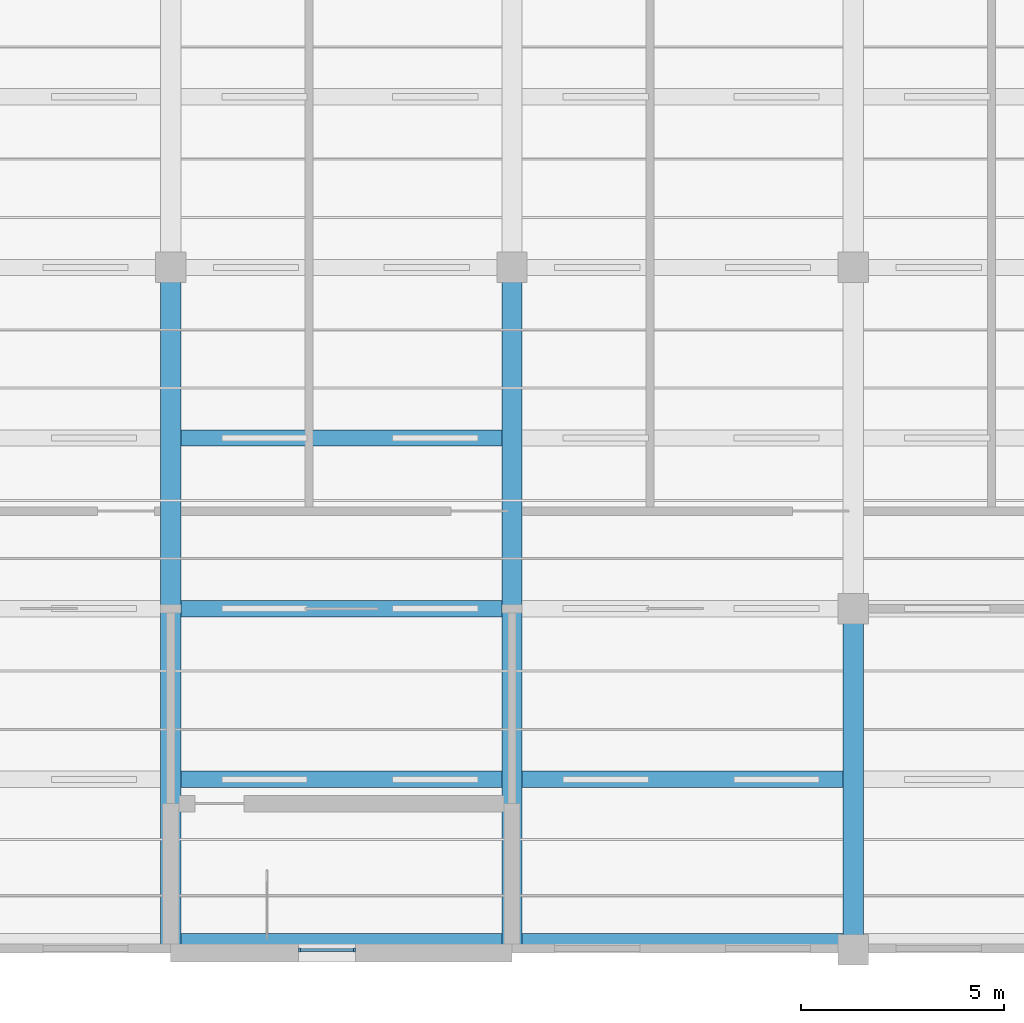
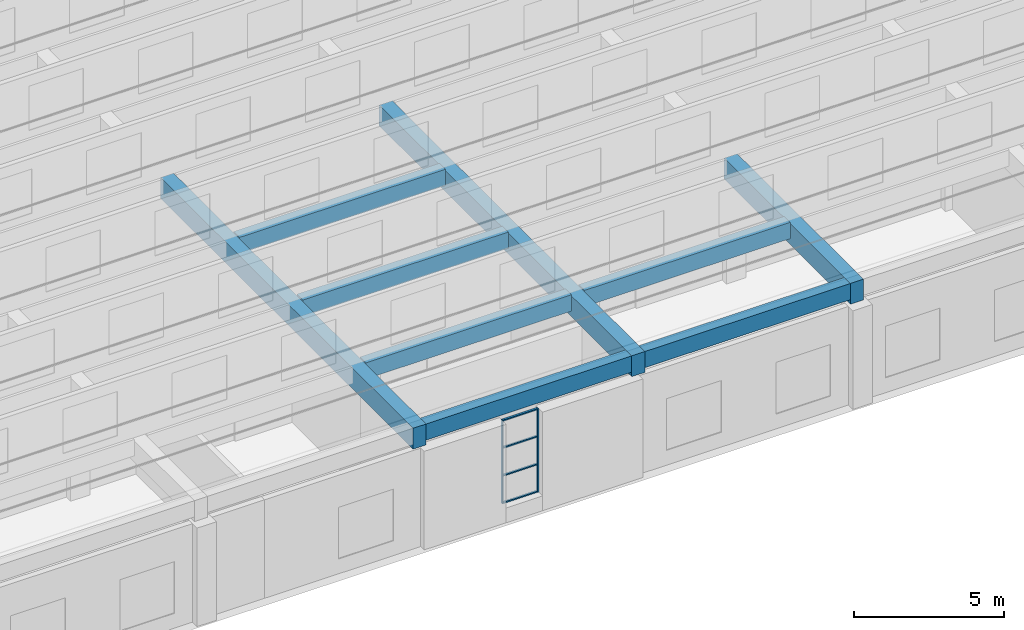
# One storey, part 9 of 61: 9 beams, 6 members, 1 element without a shape of its own.
"""IFC4 building model written with IfcOpenShell, lengths in metres."""

from ifc_helpers import new_model, si_unit, direction, frame, origin, origin_2d, place, context, subcontext, project, spatial, rectangle, extrude, material, material_profile, profile_set, type_object, element, aggregate, save


model = new_model("IFC4")

# Units and contexts
model_context = context("Model", 3, precision=1e-05, world=origin(), true_north=direction((0.0, 1.0)))
body_context = subcontext(model_context, "Body", "Model", "MODEL_VIEW")
ifc_project = project(units=[si_unit("LENGTHUNIT", "METRE"), si_unit("AREAUNIT", "SQUARE_METRE"), si_unit("VOLUMEUNIT", "CUBIC_METRE"), si_unit("PLANEANGLEUNIT", "RADIAN"), si_unit("MASSUNIT", "GRAM", prefix="KILO")], contexts=[model_context])

# Site, building, storey
site_placement = place(None, origin())
site = spatial("IfcSite", under=ifc_project, at=site_placement, CompositionType="ELEMENT")
building_placement = place(site_placement, origin())
building = spatial("IfcBuilding", under=site, at=building_placement, Name="Yavir Park General Hospital", CompositionType="ELEMENT")
storey_placement = place(building_placement, frame((0.0, 0.0, 15.300048828125)))
storey = spatial("IfcBuildingStorey", under=building, at=storey_placement, Name="L03", CompositionType="ELEMENT", Elevation=15.300048828125)

# Beams
ifc_material_1 = material(Name="Concrete C35/45", Category="concrete")
ifc_material_profile_1 = material_profile(ifc_material_1, rectangle(XDim=0.39990234375, YDim=0.659912109375, at=origin_2d()), Name="RC400x660")
ifc_profile_set_1 = profile_set([ifc_material_profile_1], Name="Concrete C35/45")
beam_type_1 = type_object("IfcBeamType", Name="RC BEAM 400x660 sawtooth kerb beam", PredefinedType="BEAM", material=ifc_profile_set_1)
beam_1_placement = place(storey_placement, frame((67.449951171875, 0.199951171875, 4.516845703125), z_axis=(1.0, 0.0, 0.0), x_axis=(0.0, 1.0, 0.0)))
element("IfcBeam", 1, at=beam_1_placement, inside=storey, type_object=beam_type_1, Name="B:SAW:K0:3", PredefinedType="BEAM", context=body_context, shape_type="SweptSolid", body=[
    extrude(rectangle(XDim=0.39990234375, YDim=0.659912109375, at=origin_2d()), origin(), (0.0, 0.0, 1.0), 7.900146484375),
])
beam_2_placement = place(storey_placement, frame((75.85009765625, 0.199951171875, 4.516845703125), z_axis=(1.0, 0.0, 0.0), x_axis=(0.0, 1.0, 0.0)))
element("IfcBeam", 2, at=beam_2_placement, inside=storey, type_object=beam_type_1, Name="B:SAW:K0:4", PredefinedType="BEAM", context=body_context, shape_type="SweptSolid", body=[
    extrude(rectangle(XDim=0.39990234375, YDim=0.659912109375, at=origin_2d()), origin(), (0.0, 0.0, 1.0), 7.89990234375),
])
beam_3_placement = place(storey_placement, frame((67.449951171875, 4.199951171875, 4.573974609375), z_axis=(1.0, 0.0, 0.0), x_axis=(0.0, 1.0, 0.0)))
element("IfcBeam", 3, at=beam_3_placement, inside=storey, type_object=beam_type_1, Name="B:SAW:K1:3", PredefinedType="BEAM", context=body_context, shape_type="SweptSolid", body=[
    extrude(rectangle(XDim=0.39990234375, YDim=0.659912109375, at=origin_2d()), origin(), (0.0, 0.0, 1.0), 7.900146484375),
])
beam_4_placement = place(storey_placement, frame((75.85009765625, 4.199951171875, 4.573974609375), z_axis=(1.0, 0.0, 0.0), x_axis=(0.0, 1.0, 0.0)))
element("IfcBeam", 4, at=beam_4_placement, inside=storey, type_object=beam_type_1, Name="B:SAW:K1:4", PredefinedType="BEAM", context=body_context, shape_type="SweptSolid", body=[
    extrude(rectangle(XDim=0.39990234375, YDim=0.659912109375, at=origin_2d()), origin(), (0.0, 0.0, 1.0), 7.89990234375),
])
for number, where, z_axis, x_axis, name in (
    (5, (67.449951171875, 8.39990234375, 4.573974609375), (1.0, 0.0, 0.0), (0.0, 1.0, 0.0), "B:SAW:K2:3"),
    (6, (67.449951171875, 12.60009765625, 4.573974609375), (1.0, 0.0, 0.0), (0.0, 1.0, 0.0), "B:SAW:K3:3"),
):
    element("IfcBeam", number, at=place(storey_placement, frame(where, z_axis=z_axis, x_axis=x_axis)), inside=storey, type_object=beam_type_1, Name=name, PredefinedType="BEAM", context=body_context, shape_type="SweptSolid", body=[
        extrude(rectangle(XDim=0.39990234375, YDim=0.659912109375, at=origin_2d()), origin(), (0.0, 0.0, 1.0), 7.900146484375),
    ])
ifc_material_2 = material(Name="Concrete C35/45", Category="concrete")
ifc_material_profile_2 = material_profile(ifc_material_2, rectangle(XDim=0.5, YDim=0.846923828125, at=origin_2d()), Name="RC500x847")
ifc_profile_set_2 = profile_set([ifc_material_profile_2], Name="Concrete C35/45")
beam_type_2 = type_object("IfcBeamType", Name="RC BEAM 500x847 sawtooth girder", PredefinedType="BEAM", material=ifc_profile_set_2)
for number, where, z_axis, x_axis, name in (
    (7, (67.199951171875, 0.0, 4.42333984375), (0.0, 1.0, 0.0), (-1.0, 0.0, 0.0), "B:SAW:G3:0"),
    (8, (75.60009765625, 0.0, 4.42333984375), (0.0, 1.0, 0.0), (-1.0, 0.0, 0.0), "B:SAW:G4:0"),
):
    element("IfcBeam", number, at=place(storey_placement, frame(where, z_axis=z_axis, x_axis=x_axis)), inside=storey, type_object=beam_type_2, Name=name, PredefinedType="BEAM", context=body_context, shape_type="SweptSolid", body=[
        extrude(rectangle(XDim=0.5, YDim=0.846923828125, at=origin_2d()), origin(), (0.0, 0.0, 1.0), 16.800048828125),
    ])
beam_5_placement = place(storey_placement, frame((84.0, 0.0, 4.42333984375), z_axis=(0.0, 1.0, 0.0), x_axis=(-1.0, 0.0, 0.0)))
element("IfcBeam", 9, at=beam_5_placement, inside=storey, type_object=beam_type_2, Name="B:SAW:G5:0", PredefinedType="BEAM", context=body_context, shape_type="SweptSolid", body=[
    extrude(rectangle(XDim=0.5, YDim=0.846923828125, at=origin_2d()), origin(), (0.0, 0.0, 1.0), 8.39990234375),
])

# Curtain wall, members
ifc_material_3 = material(Name="Aluminium curtain wall frame with insulated glazing", Category="aluminium")
curtain_wall_type = type_object("IfcCurtainWallType", Name="Stair light slot, technical floors, 3400 high, 1400 module", PredefinedType="NOTDEFINED", material=ifc_material_3)
curtain_wall_placement = place(storey_placement, origin())
curtain_wall = element("IfcCurtainWall", 10, at=curtain_wall_placement, inside=storey, type_object=curtain_wall_type, Name="CW11 L03-004", PredefinedType="NOTDEFINED")
ifc_material_4 = material(Name="Aluminium", Category="aluminium")
ifc_material_profile_3 = material_profile(ifc_material_4, rectangle(XDim=0.10009765625, YDim=0.050048828125, at=origin_2d()), Name="AL 50x100")
ifc_profile_set_3 = profile_set([ifc_material_profile_3], Name="Aluminium")
member_type_1 = type_object("IfcMemberType", Name="Stair light slot, technical floors, 3400 high mullion 50 x 100", PredefinedType="MULLION", material=ifc_profile_set_3)
member_1_placement = place(storey_placement, frame((70.375, 0.0, 0.599853515625), z_axis=(0.0, 0.0, 1.0), x_axis=(0.0, 1.0, 0.0)))
member_1 = element("IfcMember", 11, at=member_1_placement, type_object=member_type_1, Name="CW11 mullion 1", PredefinedType="MULLION", context=body_context, shape_type="SweptSolid", body=[
    extrude(rectangle(XDim=0.10009765625, YDim=0.050048828125, at=origin_2d()), origin(), (0.0, 0.0, 1.0), 3.400146484375),
])
member_2_placement = place(storey_placement, frame((71.72509765625, 0.0, 0.599853515625), z_axis=(0.0, 0.0, 1.0), x_axis=(0.0, 1.0, 0.0)))
member_2 = element("IfcMember", 12, at=member_2_placement, type_object=member_type_1, Name="CW11 mullion 2", PredefinedType="MULLION", context=body_context, shape_type="SweptSolid", body=[
    extrude(rectangle(XDim=0.10009765625, YDim=0.050048828125, at=origin_2d()), origin(), (0.0, 0.0, 1.0), 3.400146484375),
])
ifc_material_5 = material(Name="Aluminium", Category="aluminium")
ifc_material_profile_4 = material_profile(ifc_material_5, rectangle(XDim=0.080078125, YDim=0.050048828125, at=origin_2d()), Name="AL 80x50")
ifc_profile_set_4 = profile_set([ifc_material_profile_4], Name="Aluminium")
member_type_2 = type_object("IfcMemberType", Name="Stair light slot, technical floors, 3400 high transom 50 x 80", PredefinedType="MULLION", material=ifc_profile_set_4)
member_3_placement = place(storey_placement, frame((70.39990234375, 0.0, 0.625), z_axis=(1.0, 0.0, 0.0), x_axis=(0.0, 1.0, 0.0)))
member_3 = element("IfcMember", 13, at=member_3_placement, type_object=member_type_2, Name="CW11 transom 1.1", PredefinedType="MULLION", context=body_context, shape_type="SweptSolid", body=[
    extrude(rectangle(XDim=0.080078125, YDim=0.050048828125, at=origin_2d()), origin(), (0.0, 0.0, 1.0), 1.300048828125),
])
member_4_placement = place(storey_placement, frame((70.39990234375, 0.0, 1.7333984375), z_axis=(1.0, 0.0, 0.0), x_axis=(0.0, 1.0, 0.0)))
member_4 = element("IfcMember", 14, at=member_4_placement, type_object=member_type_2, Name="CW11 transom 1.2", PredefinedType="MULLION", context=body_context, shape_type="SweptSolid", body=[
    extrude(rectangle(XDim=0.080078125, YDim=0.050048828125, at=origin_2d()), origin(), (0.0, 0.0, 1.0), 1.300048828125),
])
member_5_placement = place(storey_placement, frame((70.39990234375, 0.0, 2.86669921875), z_axis=(1.0, 0.0, 0.0), x_axis=(0.0, 1.0, 0.0)))
member_5 = element("IfcMember", 15, at=member_5_placement, type_object=member_type_2, Name="CW11 transom 1.3", PredefinedType="MULLION", context=body_context, shape_type="SweptSolid", body=[
    extrude(rectangle(XDim=0.080078125, YDim=0.050048828125, at=origin_2d()), origin(), (0.0, 0.0, 1.0), 1.300048828125),
])
member_6_placement = place(storey_placement, frame((70.39990234375, 0.0, 3.974853515625), z_axis=(1.0, 0.0, 0.0), x_axis=(0.0, 1.0, 0.0)))
member_6 = element("IfcMember", 16, at=member_6_placement, type_object=member_type_2, Name="CW11 transom 1.4", PredefinedType="MULLION", context=body_context, shape_type="SweptSolid", body=[
    extrude(rectangle(XDim=0.080078125, YDim=0.050048828125, at=origin_2d()), origin(), (0.0, 0.0, 1.0), 1.300048828125),
])
aggregate(curtain_wall, [member_1, member_2, member_3, member_4, member_5, member_6])

save(model, "model.ifc")
